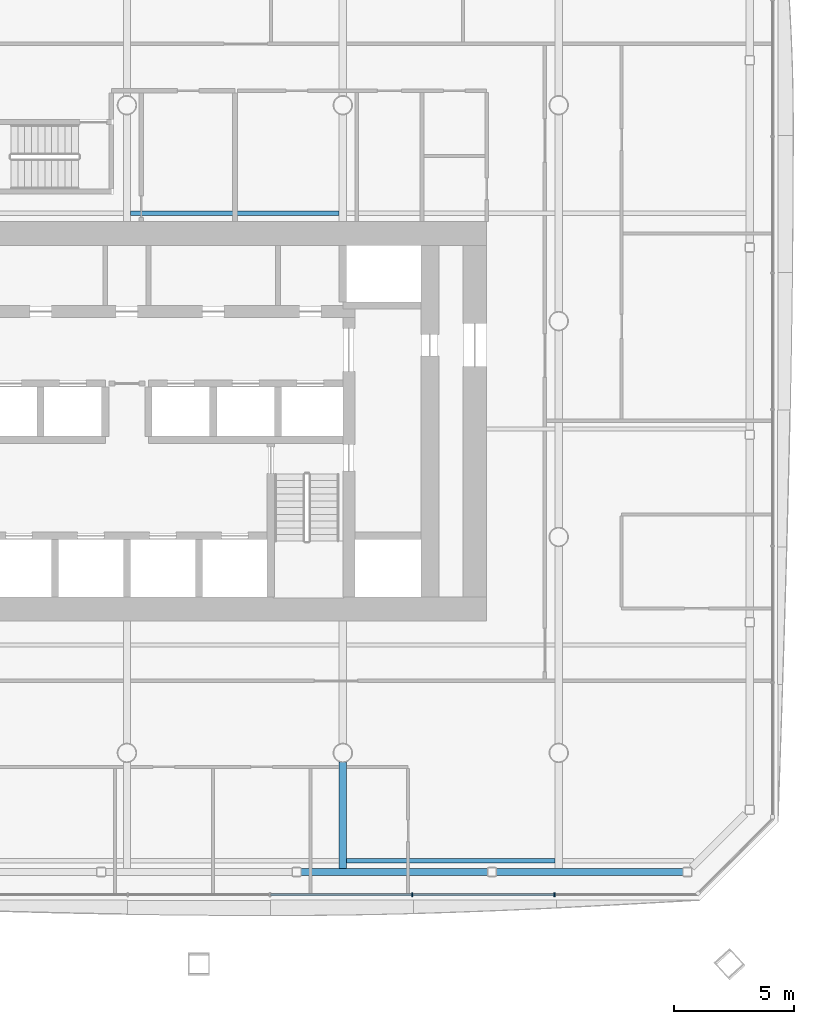
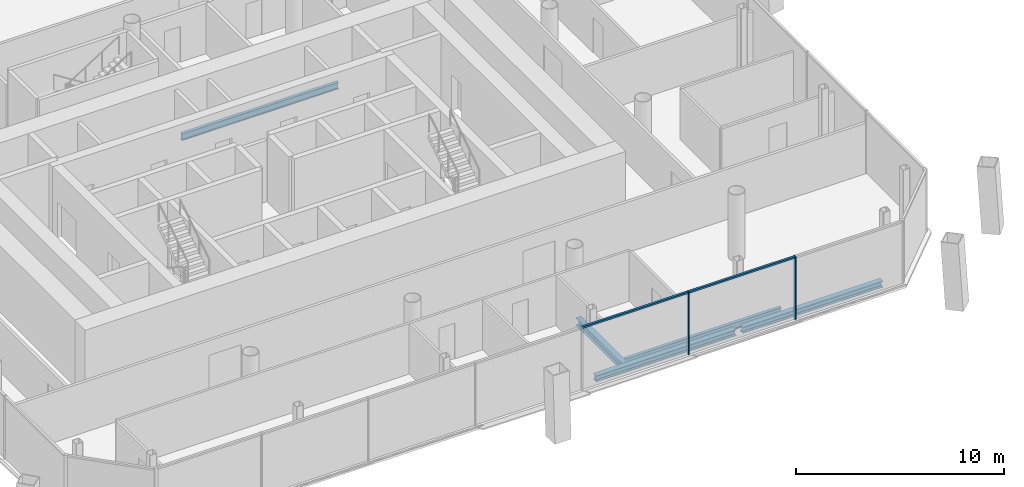
# One storey, part 5 of 19: 5 beams, 4 members, 1 element without a shape of its own.
"""IFC4 building model written with IfcOpenShell, lengths in metres."""

from ifc_helpers import new_model, si_unit, direction, frame, origin, origin_2d, place, context, subcontext, project, spatial, rectangle, i_section, extrude, material, material_profile, profile_set, type_object, element, aggregate, save


model = new_model("IFC4")

# Units and contexts
model_context = context("Model", 3, precision=1e-05, world=origin(), true_north=direction((0.0, 1.0)))
body_context = subcontext(model_context, "Body", "Model", "MODEL_VIEW")
ifc_project = project(units=[si_unit("LENGTHUNIT", "METRE"), si_unit("AREAUNIT", "SQUARE_METRE"), si_unit("VOLUMEUNIT", "CUBIC_METRE"), si_unit("PLANEANGLEUNIT", "RADIAN"), si_unit("MASSUNIT", "GRAM", prefix="KILO")], contexts=[model_context])

# Site, building, storey
site_placement = place(None, origin())
site = spatial("IfcSite", under=ifc_project, at=site_placement, CompositionType="ELEMENT")
building_placement = place(site_placement, origin())
building = spatial("IfcBuilding", under=site, at=building_placement, Name="Tskaro Facet Tower", CompositionType="ELEMENT")
storey_placement = place(building_placement, frame((0.0, 0.0, 101.10009765625)))
storey = spatial("IfcBuildingStorey", under=building, at=storey_placement, Name="L24", CompositionType="ELEMENT", Elevation=101.10009765625)

# Curtain wall, members
ifc_material_1 = material(Name="Bronze anodised aluminium 6063-T6", Category="aluminium")
curtain_wall_type = type_object("IfcCurtainWallType", Name="Bronze office curtain wall (FW1)", PredefinedType="NOTDEFINED", material=ifc_material_1)
curtain_wall_placement = place(storey_placement, origin())
curtain_wall = element("IfcCurtainWall", 1, at=curtain_wall_placement, inside=storey, type_object=curtain_wall_type, Name="FW1 south facet L24", PredefinedType="NOTDEFINED")
ifc_material_profile_1 = material_profile(ifc_material_1, rectangle(XDim=0.06005859375, YDim=0.159912109375, at=origin_2d()), Name="Mullion 60x160")
ifc_profile_set_1 = profile_set([ifc_material_profile_1], Name="Bronze anodised aluminium 6063-T6")
member_type_1 = type_object("IfcMemberType", Name="FW1 bronze mullion 60x160", PredefinedType="MULLION", material=ifc_profile_set_1)
member_1_placement = place(storey_placement, frame((11.895751953125, -23.9150390625, 0.0), z_axis=(0.0, 0.0, 1.0), x_axis=(1.0, 0.0, 0.0)))
member_1 = element("IfcMember", 2, at=member_1_placement, type_object=member_type_1, Name="FW1 south mullion 5", PredefinedType="MULLION", context=body_context, shape_type="SweptSolid", body=[
    extrude(rectangle(XDim=0.06005859375, YDim=0.159912109375, at=origin_2d()), origin(), (0.0, 0.0, 1.0), 3.699951171875),
])
member_2_placement = place(storey_placement, frame((17.826416015625, -23.9150390625, 0.0), z_axis=(0.0, 0.0, 1.0), x_axis=(1.0, 0.0, 0.0)))
member_2 = element("IfcMember", 3, at=member_2_placement, type_object=member_type_1, Name="FW1 south mullion 6", PredefinedType="MULLION", context=body_context, shape_type="SweptSolid", body=[
    extrude(rectangle(XDim=0.06005859375, YDim=0.159912109375, at=origin_2d()), origin(), (0.0, 0.0, 1.0), 3.699951171875),
])
ifc_material_profile_2 = material_profile(ifc_material_1, rectangle(XDim=0.1201171875, YDim=0.10009765625, at=origin_2d()), Name="Transom 120x100")
ifc_profile_set_2 = profile_set([ifc_material_profile_2], Name="Bronze anodised aluminium 6063-T6")
member_type_2 = type_object("IfcMemberType", Name="FW1 bronze transom 120x100", PredefinedType="USERDEFINED", material=ifc_profile_set_2)
member_3_placement = place(storey_placement, frame((5.995361328125, -23.9150390625, 3.64990234375), z_axis=(1.0, 0.0, 0.0), x_axis=(0.0, 1.0, 0.0)))
member_3 = element("IfcMember", 4, at=member_3_placement, type_object=member_type_2, Name="FW1 south transom 5.1", ObjectType="TRANSOM", PredefinedType="USERDEFINED", context=body_context, shape_type="SweptSolid", body=[
    extrude(rectangle(XDim=0.1201171875, YDim=0.10009765625, at=origin_2d()), origin(), (0.0, 0.0, 1.0), 5.87060546875),
])
member_4_placement = place(storey_placement, frame((11.92578125, -23.9150390625, 3.64990234375), z_axis=(1.0, 0.0, 0.0), x_axis=(0.0, 1.0, 0.0)))
member_4 = element("IfcMember", 5, at=member_4_placement, type_object=member_type_2, Name="FW1 south transom 6.1", ObjectType="TRANSOM", PredefinedType="USERDEFINED", context=body_context, shape_type="SweptSolid", body=[
    extrude(rectangle(XDim=0.1201171875, YDim=0.10009765625, at=origin_2d()), origin(), (0.0, 0.0, 1.0), 5.87060546875),
])
aggregate(curtain_wall, [member_1, member_2, member_3, member_4])

# Beams
ifc_material_2 = material(Name="Steel S355J2", Category="steel")
ifc_material_profile_3 = material_profile(ifc_material_2, i_section(OverallWidth=0.300048828125, OverallDepth=0.360107421875, WebThickness=0.012451171875, FlangeThickness=0.0224609375, FilletRadius=0.027099609375, at=origin_2d()), Name="HE 360 B")
ifc_profile_set_3 = profile_set([ifc_material_profile_3], Name="Steel S355J2")
beam_type_1 = type_object("IfcBeamType", Name="HE 360 B ring beam", PredefinedType="BEAM", material=ifc_profile_set_3)
beam_1_placement = place(storey_placement, frame((7.2529296875, -22.965087890625, -0.320068359375), z_axis=(1.0, 0.0, 0.0), x_axis=(0.0, 1.0, 0.0)))
element("IfcBeam", 6, at=beam_1_placement, inside=storey, type_object=beam_type_1, Name="HE 360 B EB4-2", PredefinedType="BEAM", context=body_context, shape_type="SweptSolid", body=[
    extrude(i_section(OverallWidth=0.300048828125, OverallDepth=0.360107421875, WebThickness=0.012451171875, FlangeThickness=0.0224609375, FilletRadius=0.027099609375, at=origin_2d()), origin(), (0.0, 0.0, 1.0), 7.78515625),
])
beam_2_placement = place(storey_placement, frame((15.39794921875, -22.965087890625, -0.320068359375), z_axis=(1.0, 0.0, 0.0), x_axis=(0.0, 1.0, 0.0)))
element("IfcBeam", 7, at=beam_2_placement, inside=storey, type_object=beam_type_1, Name="HE 360 B EB5-2", PredefinedType="BEAM", context=body_context, shape_type="SweptSolid", body=[
    extrude(i_section(OverallWidth=0.300048828125, OverallDepth=0.360107421875, WebThickness=0.012451171875, FlangeThickness=0.0224609375, FilletRadius=0.027099609375, at=origin_2d()), origin(), (0.0, 0.0, 1.0), 7.7861328125),
])
ifc_material_profile_4 = material_profile(ifc_material_2, i_section(OverallWidth=0.300048828125, OverallDepth=0.43994140625, WebThickness=0.011474609375, FlangeThickness=0.02099609375, FilletRadius=0.027099609375, at=origin_2d()), Name="HE 450 A")
ifc_profile_set_4 = profile_set([ifc_material_profile_4], Name="Steel S355J2")
beam_type_2 = type_object("IfcBeamType", Name="HE 450 A girder", PredefinedType="BEAM", material=ifc_profile_set_4)
beam_3_placement = place(storey_placement, frame((9.0, -22.81494140625, -0.360107421875), z_axis=(0.0, 1.0, 0.0), x_axis=(-1.0, 0.0, 0.0)))
element("IfcBeam", 8, at=beam_3_placement, inside=storey, type_object=beam_type_2, Name="HE 450 A GB5-1-2", PredefinedType="BEAM", context=body_context, shape_type="SweptSolid", body=[
    extrude(i_section(OverallWidth=0.300048828125, OverallDepth=0.43994140625, WebThickness=0.011474609375, FlangeThickness=0.02099609375, FilletRadius=0.027099609375, at=origin_2d()), origin(), (0.0, 0.0, 1.0), 4.4384765625),
])
ifc_material_profile_5 = material_profile(ifc_material_2, i_section(OverallWidth=0.179931640625, OverallDepth=0.39990234375, WebThickness=0.008544921875, FlangeThickness=0.013427734375, FilletRadius=0.02099609375, at=origin_2d()), Name="IPE 400")
ifc_profile_set_5 = profile_set([ifc_material_profile_5], Name="Steel S355J2")
beam_type_3 = type_object("IfcBeamType", Name="IPE 400 secondary beam", PredefinedType="BEAM", material=ifc_profile_set_5)
for number, where, z_axis, x_axis, name in (
    (9, (9.14990234375, -22.5, -0.340087890625), (1.0, 0.0, 0.0), (0.0, 1.0, 0.0), "IPE 400 SB1a-4-2"),
    (10, (0.14990234375, 4.5, -0.340087890625), (1.0, 0.0, 0.0), (0.0, 1.0, 0.0), "IPE 400 SB4a-3-2"),
):
    element("IfcBeam", number, at=place(storey_placement, frame(where, z_axis=z_axis, x_axis=x_axis)), inside=storey, type_object=beam_type_3, Name=name, PredefinedType="BEAM", context=body_context, shape_type="SweptSolid", body=[
        extrude(i_section(OverallWidth=0.179931640625, OverallDepth=0.39990234375, WebThickness=0.008544921875, FlangeThickness=0.013427734375, FilletRadius=0.02099609375, at=origin_2d()), origin(), (0.0, 0.0, 1.0), 8.7001953125),
    ])

save(model, "model.ifc")
